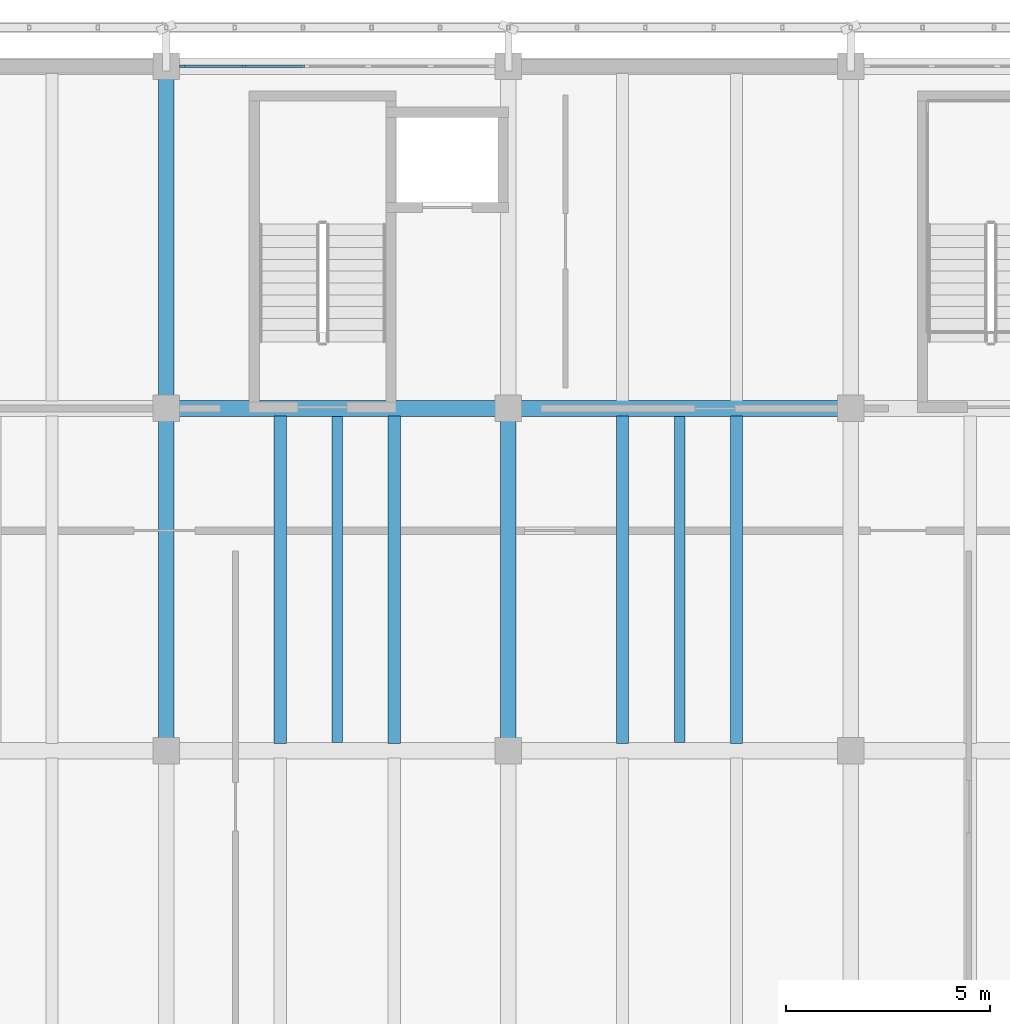
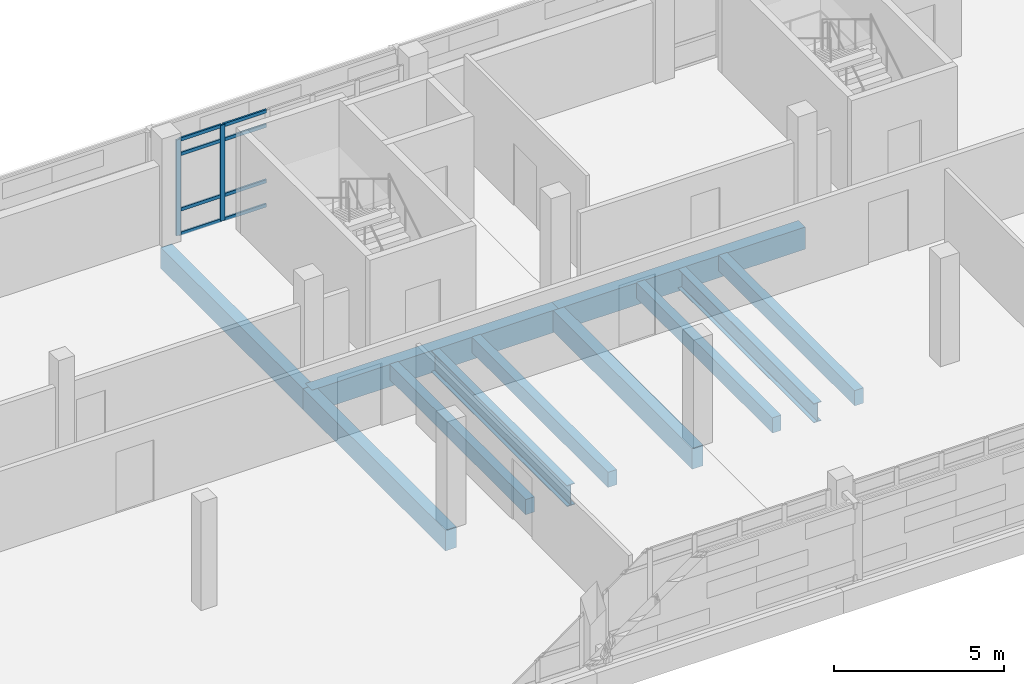
# One storey, part 48 of 117: 11 beams, 10 members, 1 element without a shape of its own.
"""IFC4 building model written with IfcOpenShell, lengths in metres."""

from ifc_helpers import new_model, si_unit, direction, frame, origin, origin_2d, place, context, subcontext, project, spatial, rectangle, i_section, extrude, material, material_profile, profile_set, type_object, element, aggregate, save


model = new_model("IFC4")

# Units and contexts
model_context = context("Model", 3, precision=1e-05, world=origin(), true_north=direction((0.0, 1.0)))
body_context = subcontext(model_context, "Body", "Model", "MODEL_VIEW")
ifc_project = project(units=[si_unit("LENGTHUNIT", "METRE"), si_unit("AREAUNIT", "SQUARE_METRE"), si_unit("VOLUMEUNIT", "CUBIC_METRE"), si_unit("PLANEANGLEUNIT", "RADIAN"), si_unit("MASSUNIT", "GRAM", prefix="KILO")], contexts=[model_context])

# Site, building, storey
site_placement = place(None, origin())
site = spatial("IfcSite", under=ifc_project, at=site_placement, CompositionType="ELEMENT")
building_placement = place(site_placement, origin())
building = spatial("IfcBuilding", under=site, at=building_placement, Name="Cinderway Yard Community Centre", CompositionType="ELEMENT")
storey_placement = place(building_placement, frame((0.0, 0.0, 9.0)))
storey = spatial("IfcBuildingStorey", under=building, at=storey_placement, Name="L02", CompositionType="ELEMENT", Elevation=9.0)

# Curtain wall, members
ifc_material_1 = material(Name="Aluminium 6063-T6", Category="aluminium")
curtain_wall_type = type_object("IfcCurtainWallType", Name="ENV-CW-TYPE-29", PredefinedType="USERDEFINED", material=ifc_material_1)
curtain_wall_placement = place(storey_placement, origin())
curtain_wall = element("IfcCurtainWall", 1, at=curtain_wall_placement, inside=storey, type_object=curtain_wall_type, Name="V4 Street Curtain Wall ENV-CW-L02-ST-0145", ObjectType="GLAZED CURTAIN WALL", PredefinedType="USERDEFINED")
ifc_material_profile_1 = material_profile(ifc_material_1, rectangle(XDim=0.06005859375, YDim=0.159912109375, at=origin_2d()), Name="Aluminium 6063-T6")
ifc_profile_set_1 = profile_set([ifc_material_profile_1], Name="Aluminium 6063-T6")
member_type_1 = type_object("IfcMemberType", Name="ENV-CW-MULL-150", PredefinedType="MULLION", material=ifc_profile_set_1)
member_1_placement = place(storey_placement, frame((58.81005859375, 115.199951171875, 0.0), z_axis=(0.0, 0.0, 1.0), x_axis=(0.0, 1.0, 0.0)))
member_1 = element("IfcMember", 2, at=member_1_placement, type_object=member_type_1, Name="CW-29 mullion 1", PredefinedType="MULLION", context=body_context, shape_type="SweptSolid", body=[
    extrude(rectangle(XDim=0.06005859375, YDim=0.159912109375, at=origin_2d()), origin(), (0.0, 0.0, 1.0), 3.449951171875),
])
member_2_placement = place(storey_placement, frame((60.30810546875, 115.199951171875, 0.0), z_axis=(0.0, 0.0, 1.0), x_axis=(0.0, 1.0, 0.0)))
member_2 = element("IfcMember", 3, at=member_2_placement, type_object=member_type_1, Name="CW-29 mullion 2", PredefinedType="MULLION", context=body_context, shape_type="SweptSolid", body=[
    extrude(rectangle(XDim=0.06005859375, YDim=0.159912109375, at=origin_2d()), origin(), (0.0, 0.0, 1.0), 3.449951171875),
])
ifc_material_profile_2 = material_profile(ifc_material_1, rectangle(XDim=0.06005859375, YDim=0.1201171875, at=origin_2d()), Name="Aluminium 6063-T6")
ifc_profile_set_2 = profile_set([ifc_material_profile_2], Name="Aluminium 6063-T6")
member_type_2 = type_object("IfcMemberType", Name="ENV-CW-TRAN-110", PredefinedType="USERDEFINED", material=ifc_profile_set_2)
member_3_placement = place(storey_placement, frame((58.840087890625, 115.199951171875, 0.030029296875), z_axis=(1.0, 0.0, 0.0), x_axis=(0.0, 1.0, 0.0)))
member_3 = element("IfcMember", 4, at=member_3_placement, type_object=member_type_2, Name="CW-29 transom 1.1", ObjectType="TRANSOM", PredefinedType="USERDEFINED", context=body_context, shape_type="SweptSolid", body=[
    extrude(rectangle(XDim=0.06005859375, YDim=0.1201171875, at=origin_2d()), origin(), (0.0, 0.0, 1.0), 1.43798828125),
])
member_4_placement = place(storey_placement, frame((58.840087890625, 115.199951171875, 0.89990234375), z_axis=(1.0, 0.0, 0.0), x_axis=(0.0, 1.0, 0.0)))
member_4 = element("IfcMember", 5, at=member_4_placement, type_object=member_type_2, Name="CW-29 transom 1.2", ObjectType="TRANSOM", PredefinedType="USERDEFINED", context=body_context, shape_type="SweptSolid", body=[
    extrude(rectangle(XDim=0.06005859375, YDim=0.1201171875, at=origin_2d()), origin(), (0.0, 0.0, 1.0), 1.43798828125),
])
member_5_placement = place(storey_placement, frame((58.840087890625, 115.199951171875, 2.89990234375), z_axis=(1.0, 0.0, 0.0), x_axis=(0.0, 1.0, 0.0)))
member_5 = element("IfcMember", 6, at=member_5_placement, type_object=member_type_2, Name="CW-29 transom 1.3", ObjectType="TRANSOM", PredefinedType="USERDEFINED", context=body_context, shape_type="SweptSolid", body=[
    extrude(rectangle(XDim=0.06005859375, YDim=0.1201171875, at=origin_2d()), origin(), (0.0, 0.0, 1.0), 1.43798828125),
])
member_6_placement = place(storey_placement, frame((58.840087890625, 115.199951171875, 3.419921875), z_axis=(1.0, 0.0, 0.0), x_axis=(0.0, 1.0, 0.0)))
member_6 = element("IfcMember", 7, at=member_6_placement, type_object=member_type_2, Name="CW-29 transom 1.4", ObjectType="TRANSOM", PredefinedType="USERDEFINED", context=body_context, shape_type="SweptSolid", body=[
    extrude(rectangle(XDim=0.06005859375, YDim=0.1201171875, at=origin_2d()), origin(), (0.0, 0.0, 1.0), 1.43798828125),
])
member_7_placement = place(storey_placement, frame((60.337890625, 115.199951171875, 0.030029296875), z_axis=(1.0, 0.0, 0.0), x_axis=(0.0, 1.0, 0.0)))
member_7 = element("IfcMember", 8, at=member_7_placement, type_object=member_type_2, Name="CW-29 transom 2.1", ObjectType="TRANSOM", PredefinedType="USERDEFINED", context=body_context, shape_type="SweptSolid", body=[
    extrude(rectangle(XDim=0.06005859375, YDim=0.1201171875, at=origin_2d()), origin(), (0.0, 0.0, 1.0), 1.468017578125),
])
member_8_placement = place(storey_placement, frame((60.337890625, 115.199951171875, 0.89990234375), z_axis=(1.0, 0.0, 0.0), x_axis=(0.0, 1.0, 0.0)))
member_8 = element("IfcMember", 9, at=member_8_placement, type_object=member_type_2, Name="CW-29 transom 2.2", ObjectType="TRANSOM", PredefinedType="USERDEFINED", context=body_context, shape_type="SweptSolid", body=[
    extrude(rectangle(XDim=0.06005859375, YDim=0.1201171875, at=origin_2d()), origin(), (0.0, 0.0, 1.0), 1.468017578125),
])
member_9_placement = place(storey_placement, frame((60.337890625, 115.199951171875, 2.89990234375), z_axis=(1.0, 0.0, 0.0), x_axis=(0.0, 1.0, 0.0)))
member_9 = element("IfcMember", 10, at=member_9_placement, type_object=member_type_2, Name="CW-29 transom 2.3", ObjectType="TRANSOM", PredefinedType="USERDEFINED", context=body_context, shape_type="SweptSolid", body=[
    extrude(rectangle(XDim=0.06005859375, YDim=0.1201171875, at=origin_2d()), origin(), (0.0, 0.0, 1.0), 1.468017578125),
])
member_10_placement = place(storey_placement, frame((60.337890625, 115.199951171875, 3.419921875), z_axis=(1.0, 0.0, 0.0), x_axis=(0.0, 1.0, 0.0)))
member_10 = element("IfcMember", 11, at=member_10_placement, type_object=member_type_2, Name="CW-29 transom 2.4", ObjectType="TRANSOM", PredefinedType="USERDEFINED", context=body_context, shape_type="SweptSolid", body=[
    extrude(rectangle(XDim=0.06005859375, YDim=0.1201171875, at=origin_2d()), origin(), (0.0, 0.0, 1.0), 1.468017578125),
])
aggregate(curtain_wall, [member_1, member_2, member_3, member_4, member_5, member_6, member_7, member_8, member_9, member_10])

# Beams
ifc_material_2 = material(Name="Concrete C35/45", Category="concrete")
ifc_material_profile_3 = material_profile(ifc_material_2, rectangle(XDim=0.300048828125, YDim=0.550048828125, at=origin_2d()), Name="Concrete C35/45")
ifc_profile_set_3 = profile_set([ifc_material_profile_3], Name="Concrete C35/45")
beam_type_1 = type_object("IfcBeamType", Name="STR-BM-RC300X550", PredefinedType="JOIST", material=ifc_profile_set_3)
for number, where, z_axis, x_axis, name in (
    (12, (61.199951171875, 98.58203125, -0.514892578125), (0.0, 1.0, 0.0), (-1.0, 0.0, 0.0), "Secondary joist STR-BM-L02-BJ03-0597"),
    (13, (64.0, 98.58203125, -0.514892578125), (0.0, 1.0, 0.0), (-1.0, 0.0, 0.0), "Secondary joist STR-BM-L02-BJ03-0598"),
    (14, (69.60009765625, 98.58203125, -0.514892578125), (0.0, 1.0, 0.0), (-1.0, 0.0, 0.0), "Secondary joist STR-BM-L02-BJ03-0601"),
    (15, (72.39990234375, 98.58203125, -0.514892578125), (0.0, 1.0, 0.0), (-1.0, 0.0, 0.0), "Secondary joist STR-BM-L02-BJ03-0602"),
):
    element("IfcBeam", number, at=place(storey_placement, frame(where, z_axis=z_axis, x_axis=x_axis)), inside=storey, type_object=beam_type_1, Name=name, PredefinedType="JOIST", context=body_context, shape_type="SweptSolid", body=[
        extrude(rectangle(XDim=0.300048828125, YDim=0.550048828125, at=origin_2d()), origin(), (0.0, 0.0, 1.0), 8.035888671875),
    ])
ifc_material_profile_4 = material_profile(ifc_material_2, rectangle(XDim=0.3798828125, YDim=0.75, at=origin_2d()), Name="Concrete C35/45")
ifc_profile_set_4 = profile_set([ifc_material_profile_4], Name="Concrete C35/45")
beam_type_2 = type_object("IfcBeamType", Name="STR-BM-RC380X750", PredefinedType="BEAM", material=ifc_profile_set_4)
beam_1_placement = place(storey_placement, frame((58.39990234375, 98.39990234375, -0.614990234375), z_axis=(0.0, 1.0, 0.0), x_axis=(-1.0, 0.0, 0.0)))
element("IfcBeam", 16, at=beam_1_placement, inside=storey, type_object=beam_type_2, Name="Transverse girder STR-BM-L02-BG06-0551", PredefinedType="BEAM", context=body_context, shape_type="SweptSolid", body=[
    extrude(rectangle(XDim=0.3798828125, YDim=0.75, at=origin_2d()), origin(), (0.0, 0.0, 1.0), 8.400146484375),
])
beam_2_placement = place(storey_placement, frame((58.39990234375, 106.800048828125, -0.614990234375), z_axis=(0.0, 1.0, 0.0), x_axis=(-1.0, 0.0, 0.0)))
element("IfcBeam", 17, at=beam_2_placement, inside=storey, type_object=beam_type_2, Name="Transverse girder STR-BM-L02-BG06-0552", PredefinedType="BEAM", context=body_context, shape_type="SweptSolid", body=[
    extrude(rectangle(XDim=0.3798828125, YDim=0.75, at=origin_2d()), origin(), (0.0, 0.0, 1.0), 8.39990234375),
])
beam_3_placement = place(storey_placement, frame((66.800048828125, 98.39990234375, -0.614990234375), z_axis=(0.0, 1.0, 0.0), x_axis=(-1.0, 0.0, 0.0)))
element("IfcBeam", 18, at=beam_3_placement, inside=storey, type_object=beam_type_2, Name="Transverse girder STR-BM-L02-BG06-0554", PredefinedType="BEAM", context=body_context, shape_type="SweptSolid", body=[
    extrude(rectangle(XDim=0.3798828125, YDim=0.75, at=origin_2d()), origin(), (0.0, 0.0, 1.0), 8.400146484375),
])
ifc_material_3 = material(Name="Concrete C40/50", Category="concrete")
ifc_material_profile_5 = material_profile(ifc_material_3, rectangle(XDim=0.39990234375, YDim=0.800048828125, at=origin_2d()), Name="Concrete C40/50")
ifc_profile_set_5 = profile_set([ifc_material_profile_5], Name="Concrete C40/50")
beam_type_3 = type_object("IfcBeamType", Name="STR-BM-RC400X800", PredefinedType="BEAM", material=ifc_profile_set_5)
beam_4_placement = place(storey_placement, frame((58.39990234375, 106.800048828125, -0.639892578125), z_axis=(1.0, 0.0, 0.0), x_axis=(0.0, 1.0, 0.0)))
element("IfcBeam", 19, at=beam_4_placement, inside=storey, type_object=beam_type_3, Name="Primary girder STR-BM-L02-BG05-0522", PredefinedType="BEAM", context=body_context, shape_type="SweptSolid", body=[
    extrude(rectangle(XDim=0.39990234375, YDim=0.800048828125, at=origin_2d()), origin(), (0.0, 0.0, 1.0), 8.400146484375),
])
beam_5_placement = place(storey_placement, frame((66.800048828125, 106.800048828125, -0.639892578125), z_axis=(1.0, 0.0, 0.0), x_axis=(0.0, 1.0, 0.0)))
element("IfcBeam", 20, at=beam_5_placement, inside=storey, type_object=beam_type_3, Name="Primary girder STR-BM-L02-BG05-0523", PredefinedType="BEAM", context=body_context, shape_type="SweptSolid", body=[
    extrude(rectangle(XDim=0.39990234375, YDim=0.800048828125, at=origin_2d()), origin(), (0.0, 0.0, 1.0), 8.39990234375),
])
ifc_material_4 = material(Name="Steel S355", Category="steel")
ifc_material_profile_6 = material_profile(ifc_material_4, i_section(OverallWidth=0.256103515625, OverallDepth=0.693115234375, WebThickness=0.012939453125, FlangeThickness=0.0205078125, FilletRadius=0.01806640625, at=origin_2d()), Name="Steel S355")
ifc_profile_set_6 = profile_set([ifc_material_profile_6], Name="Steel S355")
beam_type_4 = type_object("IfcBeamType", Name="STR-BM-W690X170", PredefinedType="BEAM", material=ifc_profile_set_6)
beam_6_placement = place(storey_placement, frame((71.0, 98.60009765625, -0.5869140625), z_axis=(0.0, 1.0, 0.0), x_axis=(-1.0, 0.0, 0.0)))
element("IfcBeam", 21, at=beam_6_placement, inside=storey, type_object=beam_type_4, Name="Mid-bay secondary beam STR-BM-L02-SB04-1177", PredefinedType="BEAM", context=body_context, shape_type="SweptSolid", body=[
    extrude(i_section(OverallWidth=0.256103515625, OverallDepth=0.693115234375, WebThickness=0.012939453125, FlangeThickness=0.0205078125, FilletRadius=0.01806640625, at=origin_2d()), origin(), (0.0, 0.0, 1.0), 8.0),
])
ifc_material_profile_7 = material_profile(ifc_material_4, i_section(OverallWidth=0.26611328125, OverallDepth=0.77001953125, WebThickness=0.0146484375, FlangeThickness=0.0244140625, FilletRadius=0.02001953125, at=origin_2d()), Name="Steel S355")
ifc_profile_set_7 = profile_set([ifc_material_profile_7], Name="Steel S355")
beam_type_5 = type_object("IfcBeamType", Name="STR-BM-W760X220", PredefinedType="BEAM", material=ifc_profile_set_7)
beam_7_placement = place(storey_placement, frame((62.60009765625, 98.60009765625, -0.625), z_axis=(0.0, 1.0, 0.0), x_axis=(-1.0, 0.0, 0.0)))
element("IfcBeam", 22, at=beam_7_placement, inside=storey, type_object=beam_type_5, Name="Mid-bay secondary beam STR-BM-L02-SB03-1176", PredefinedType="BEAM", context=body_context, shape_type="SweptSolid", body=[
    extrude(i_section(OverallWidth=0.26611328125, OverallDepth=0.77001953125, WebThickness=0.0146484375, FlangeThickness=0.0244140625, FilletRadius=0.02001953125, at=origin_2d()), origin(), (0.0, 0.0, 1.0), 8.0),
])

save(model, "model.ifc")
